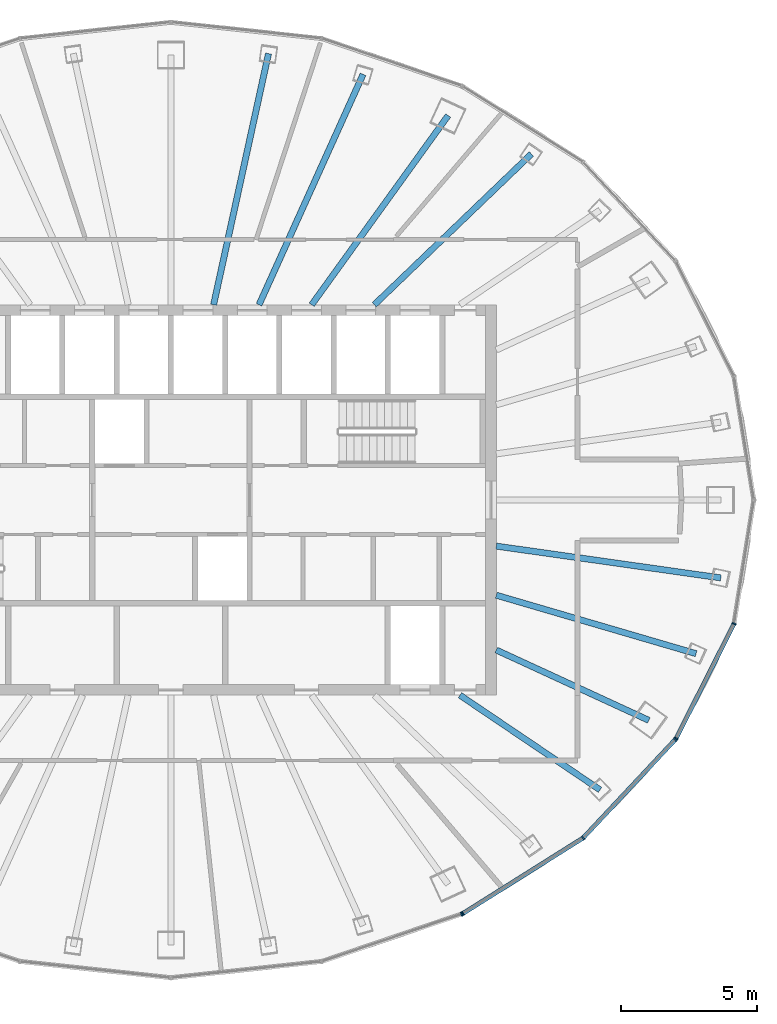
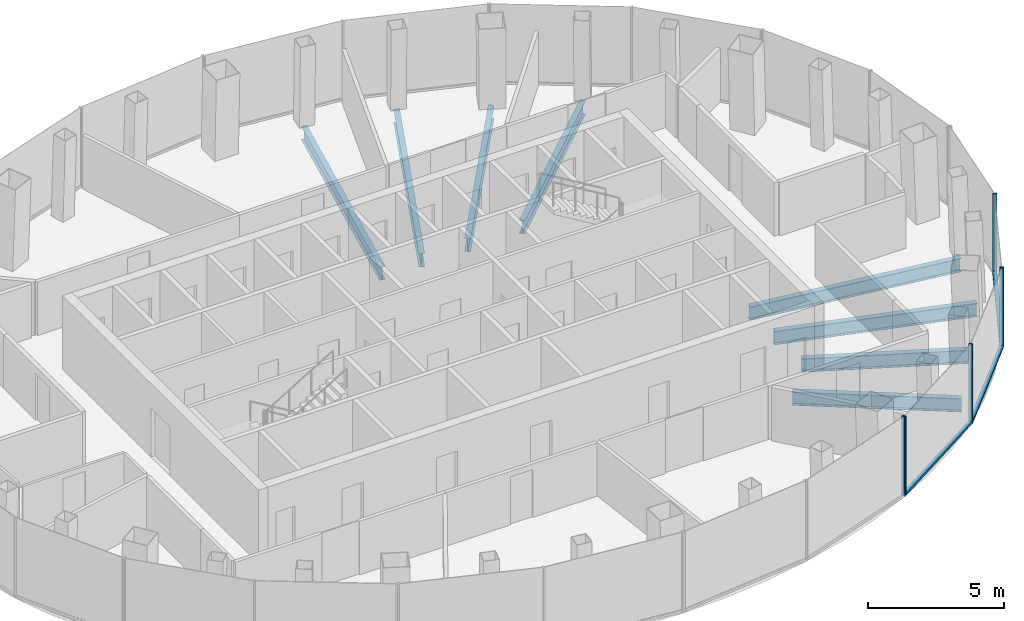
# One storey, part 5 of 12: 9 members, 8 beams, 3 elements without a shape of their own.
"""IFC4 building model written with IfcOpenShell, lengths in metres."""

from ifc_helpers import new_model, si_unit, direction, frame, origin, origin_2d, place, context, subcontext, project, spatial, rectangle, i_section, extrude, material, layer, layer_set, material_profile, profile_set, type_object, element, aggregate, save


model = new_model("IFC4")

# Units and contexts
model_context = context("Model", 3, precision=1e-05, world=origin(), true_north=direction((0.0, 1.0)))
body_context = subcontext(model_context, "Body", "Model", "MODEL_VIEW")
ifc_project = project(units=[si_unit("LENGTHUNIT", "METRE"), si_unit("AREAUNIT", "SQUARE_METRE"), si_unit("VOLUMEUNIT", "CUBIC_METRE"), si_unit("PLANEANGLEUNIT", "RADIAN"), si_unit("MASSUNIT", "GRAM", prefix="KILO")], contexts=[model_context])

# Site, building, storey
site_placement = place(None, origin())
site = spatial("IfcSite", under=ifc_project, at=site_placement, CompositionType="ELEMENT")
building_placement = place(site_placement, origin())
building = spatial("IfcBuilding", under=site, at=building_placement, Name="Siaravel Broadcast Tower", CompositionType="ELEMENT")
storey_placement = place(building_placement, frame((0.0, 0.0, 235.60009765625)))
storey = spatial("IfcBuildingStorey", under=building, at=storey_placement, Name="L57", CompositionType="ELEMENT", Elevation=235.60009765625)

# Beams
ifc_material_1 = material(Name="Steel S355", Category="steel")
ifc_material_profile_1 = material_profile(ifc_material_1, i_section(OverallWidth=0.2275390625, OverallDepth=0.6025390625, WebThickness=0.010498046875, FlangeThickness=0.014892578125, FilletRadius=0.0126953125, at=origin_2d()))
ifc_profile_set_1 = profile_set([ifc_material_profile_1], Name="Steel S355")
beam_type = type_object("IfcBeamType", Name="BM-UB 610x229x101", PredefinedType="BEAM", material=ifc_profile_set_1)
beam_1_placement = place(storey_placement, frame((13.294921875, 12.76123046875, -0.451416015625), z_axis=(-0.721429237, -0.692488163, 0.0), x_axis=(0.692488163, -0.721429237, 0.0)))
element("IfcBeam", 1, at=beam_1_placement, inside=storey, type_object=beam_type, Name="Radial beam RB06", PredefinedType="BEAM", context=body_context, shape_type="SweptSolid", body=[
    extrude(i_section(OverallWidth=0.2275390625, OverallDepth=0.6025390625, WebThickness=0.010498046875, FlangeThickness=0.014892578125, FilletRadius=0.0126953125, at=origin_2d()), origin(), (0.0, 0.0, 1.0), 8.03076171875),
])
beam_2_placement = place(storey_placement, frame((10.2236328125, 14.177490234375, -0.451416015625), z_axis=(-0.584910141, -0.811098099, 0.0), x_axis=(0.811098099, -0.584910141, 0.0)))
element("IfcBeam", 2, at=beam_2_placement, inside=storey, type_object=beam_type, Name="Radial beam RB07", PredefinedType="BEAM", context=body_context, shape_type="SweptSolid", body=[
    extrude(i_section(OverallWidth=0.2275390625, OverallDepth=0.6025390625, WebThickness=0.010498046875, FlangeThickness=0.014892578125, FilletRadius=0.0126953125, at=origin_2d()), origin(), (0.0, 0.0, 1.0), 8.6025390625),
])
beam_3_placement = place(storey_placement, frame((7.086669921875, 15.696044921875, -0.451416015625), z_axis=(-0.4114969, -0.911411159, 0.0), x_axis=(0.911411159, -0.4114969, 0.0)))
element("IfcBeam", 3, at=beam_3_placement, inside=storey, type_object=beam_type, Name="Radial beam RB08", PredefinedType="BEAM", context=body_context, shape_type="SweptSolid", body=[
    extrude(i_section(OverallWidth=0.2275390625, OverallDepth=0.6025390625, WebThickness=0.010498046875, FlangeThickness=0.014892578125, FilletRadius=0.0126953125, at=origin_2d()), origin(), (0.0, 0.0, 1.0), 9.322021484375),
])
beam_4_placement = place(storey_placement, frame((3.599609375, 16.461181640625, -0.451416015625), z_axis=(-0.213621611, -0.976916479, 0.0), x_axis=(0.976916479, -0.213621611, 0.0)))
element("IfcBeam", 4, at=beam_4_placement, inside=storey, type_object=beam_type, Name="Radial beam RB09", PredefinedType="BEAM", context=body_context, shape_type="SweptSolid", body=[
    extrude(i_section(OverallWidth=0.2275390625, OverallDepth=0.6025390625, WebThickness=0.010498046875, FlangeThickness=0.014892578125, FilletRadius=0.0126953125, at=origin_2d()), origin(), (0.0, 0.0, 1.0), 9.47998046875),
])
beam_5_placement = place(storey_placement, frame((15.8251953125, -10.688720703125, -0.451416015625), z_axis=(-0.828672445, 0.559733846, 0.0), x_axis=(-0.559733846, -0.828672445, 0.0)))
element("IfcBeam", 5, at=beam_5_placement, inside=storey, type_object=beam_type, Name="Radial beam RB33", PredefinedType="BEAM", context=body_context, shape_type="SweptSolid", body=[
    extrude(i_section(OverallWidth=0.2275390625, OverallDepth=0.6025390625, WebThickness=0.010498046875, FlangeThickness=0.014892578125, FilletRadius=0.0126953125, at=origin_2d()), origin(), (0.0, 0.0, 1.0), 6.23291015625),
])
beam_6_placement = place(storey_placement, frame((17.623291015625, -8.1259765625, -0.451416015625), z_axis=(-0.908103573, 0.418745628, 0.0), x_axis=(-0.418745628, -0.908103573, 0.0)))
element("IfcBeam", 6, at=beam_6_placement, inside=storey, type_object=beam_type, Name="Radial beam RB34", PredefinedType="BEAM", context=body_context, shape_type="SweptSolid", body=[
    extrude(i_section(OverallWidth=0.2275390625, OverallDepth=0.6025390625, WebThickness=0.010498046875, FlangeThickness=0.014892578125, FilletRadius=0.0126953125, at=origin_2d()), origin(), (0.0, 0.0, 1.0), 6.1923828125),
])
beam_7_placement = place(storey_placement, frame((19.3671875, -5.6669921875, -0.451416015625), z_axis=(-0.959763126, 0.280810864, 0.0), x_axis=(-0.280810864, -0.959763126, 0.0)))
element("IfcBeam", 7, at=beam_7_placement, inside=storey, type_object=beam_type, Name="Radial beam RB35", PredefinedType="BEAM", context=body_context, shape_type="SweptSolid", body=[
    extrude(i_section(OverallWidth=0.2275390625, OverallDepth=0.6025390625, WebThickness=0.010498046875, FlangeThickness=0.014892578125, FilletRadius=0.0126953125, at=origin_2d()), origin(), (0.0, 0.0, 1.0), 7.676025390625),
])
beam_8_placement = place(storey_placement, frame((20.281005859375, -2.873779296875, -0.451416015625), z_axis=(-0.990110561, 0.140289258, 0.0), x_axis=(-0.140289258, -0.990110561, 0.0)))
element("IfcBeam", 8, at=beam_8_placement, inside=storey, type_object=beam_type, Name="Radial beam RB36", PredefinedType="BEAM", context=body_context, shape_type="SweptSolid", body=[
    extrude(i_section(OverallWidth=0.2275390625, OverallDepth=0.6025390625, WebThickness=0.010498046875, FlangeThickness=0.014892578125, FilletRadius=0.0126953125, at=origin_2d()), origin(), (0.0, 0.0, 1.0), 8.36376953125),
])

# Curtain wall, member
ifc_material_2 = material(Name="Aluminium 6063-T6", Category="aluminium")
ifc_layer = layer(ifc_material_2, 0.159912109375)
ifc_layer_set = layer_set([ifc_layer], Name="Aluminium 6063-T6")
curtain_wall_type = type_object("IfcCurtainWallType", Name="Unitised curtain wall, zone 4", PredefinedType="NOTDEFINED", material=ifc_layer_set)
curtain_wall_1_placement = place(storey_placement, origin())
curtain_wall_1 = element("IfcCurtainWall", 9, at=curtain_wall_1_placement, inside=storey, type_object=curtain_wall_type, Name="L57 Unitised curtain wall, zone 4 10", PredefinedType="NOTDEFINED")
ifc_material_profile_2 = material_profile(ifc_material_2, rectangle(XDim=0.159912109375, YDim=0.054931640625, at=origin_2d()))
ifc_profile_set_2 = profile_set([ifc_material_profile_2], Name="Aluminium 6063-T6")
member_type_1 = type_object("IfcMemberType", Name="CW-Z4 mullion", PredefinedType="MULLION", material=ifc_profile_set_2)
member_1_placement = place(storey_placement, frame((10.72119140625, -15.271484375, 0.0), z_axis=(0.0, 0.0, 1.0), x_axis=(-0.321301352, 0.946977002, 0.0)))
member_1 = element("IfcMember", 10, at=member_1_placement, type_object=member_type_1, Name="CW-Z4 mullion 3", PredefinedType="MULLION", context=body_context, shape_type="SweptSolid", body=[
    extrude(rectangle(XDim=0.159912109375, YDim=0.054931640625, at=origin_2d()), origin(), (0.0, 0.0, 1.0), 3.5498046875),
])
aggregate(curtain_wall_1, [member_1])

# Curtain wall, members
curtain_wall_2_placement = place(storey_placement, origin())
curtain_wall_2 = element("IfcCurtainWall", 11, at=curtain_wall_2_placement, inside=storey, type_object=curtain_wall_type, Name="L57 Unitised curtain wall, zone 4 11", PredefinedType="NOTDEFINED")
member_2_placement = place(storey_placement, frame((10.770751953125, -15.248046875, 0.0), z_axis=(0.0, 0.0, 1.0), x_axis=(-0.532150293, 0.846649907, 0.0)))
member_2 = element("IfcMember", 12, at=member_2_placement, type_object=member_type_1, Name="CW-Z4 mullion 1", PredefinedType="MULLION", context=body_context, shape_type="SweptSolid", body=[
    extrude(rectangle(XDim=0.159912109375, YDim=0.054931640625, at=origin_2d()), origin(), (0.0, 0.0, 1.0), 3.5498046875),
])
member_3_placement = place(storey_placement, frame((15.200439453125, -12.463623046875, 0.0), z_axis=(0.0, 0.0, 1.0), x_axis=(-0.636219746, 0.771507897, 0.0)))
member_3 = element("IfcMember", 13, at=member_3_placement, type_object=member_type_1, Name="CW-Z4 mullion 2", PredefinedType="MULLION", context=body_context, shape_type="SweptSolid", body=[
    extrude(rectangle(XDim=0.159912109375, YDim=0.054931640625, at=origin_2d()), origin(), (0.0, 0.0, 1.0), 3.5498046875),
])
member_4_placement = place(storey_placement, frame((18.60009765625, -8.834716796875, 0.0), z_axis=(0.0, 0.0, 1.0), x_axis=(-0.72980635, 0.683653927, 0.0)))
member_4 = element("IfcMember", 14, at=member_4_placement, type_object=member_type_1, Name="CW-Z4 mullion 3", PredefinedType="MULLION", context=body_context, shape_type="SweptSolid", body=[
    extrude(rectangle(XDim=0.159912109375, YDim=0.054931640625, at=origin_2d()), origin(), (0.0, 0.0, 1.0), 3.5498046875),
])

curtain_wall_3_placement = place(storey_placement, origin())
curtain_wall_3 = element("IfcCurtainWall", 15, at=curtain_wall_3_placement, inside=storey, type_object=curtain_wall_type, Name="L57 Unitised curtain wall, zone 4 12", PredefinedType="NOTDEFINED")
member_5_placement = place(storey_placement, frame((18.63134765625, -8.7900390625, 0.0), z_axis=(0.0, 0.0, 1.0), x_axis=(-0.89239278, 0.451259489, 0.0)))
member_5 = element("IfcMember", 16, at=member_5_placement, type_object=member_type_1, Name="CW-Z4 mullion 1", PredefinedType="MULLION", context=body_context, shape_type="SweptSolid", body=[
    extrude(rectangle(XDim=0.159912109375, YDim=0.054931640625, at=origin_2d()), origin(), (0.0, 0.0, 1.0), 3.5498046875),
])
member_6_placement = place(storey_placement, frame((20.7685546875, -4.5634765625, 0.0), z_axis=(0.0, 0.0, 1.0), x_axis=(-0.951177556, 0.308644223, 0.0)))
member_6 = element("IfcMember", 17, at=member_6_placement, type_object=member_type_1, Name="CW-Z4 mullion 2", PredefinedType="MULLION", context=body_context, shape_type="SweptSolid", body=[
    extrude(rectangle(XDim=0.159912109375, YDim=0.054931640625, at=origin_2d()), origin(), (0.0, 0.0, 1.0), 3.5498046875),
])

# Member
ifc_material_profile_3 = material_profile(ifc_material_2, rectangle(XDim=0.159912109375, YDim=0.090087890625, at=origin_2d()))
ifc_profile_set_3 = profile_set([ifc_material_profile_3], Name="Aluminium 6063-T6")
member_type_2 = type_object("IfcMemberType", Name="CW-Z4 transom", PredefinedType="USERDEFINED", material=ifc_profile_set_3)
member_7_placement = place(storey_placement, frame((10.7939453125, -15.2333984375, 0.044921875), z_axis=(0.846644441, 0.53215899, 0.0), x_axis=(-0.53215899, 0.846644441, 0.0)))
member_7 = element("IfcMember", 18, at=member_7_placement, type_object=member_type_2, Name="CW-Z4 transom 1", ObjectType="TRANSOM", PredefinedType="USERDEFINED", context=body_context, shape_type="SweptSolid", body=[
    extrude(rectangle(XDim=0.159912109375, YDim=0.090087890625, at=origin_2d()), origin(), (0.0, 0.0, 1.0), 5.17724609375),
])

member_8_placement = place(storey_placement, frame((15.21923828125, -12.443603515625, 0.044921875), z_axis=(0.68367025, 0.729791059, 0.0), x_axis=(-0.729791059, 0.68367025, 0.0)))
member_8 = element("IfcMember", 19, at=member_8_placement, type_object=member_type_2, Name="CW-Z4 transom 2", ObjectType="TRANSOM", PredefinedType="USERDEFINED", context=body_context, shape_type="SweptSolid", body=[
    extrude(rectangle(XDim=0.159912109375, YDim=0.090087890625, at=origin_2d()), origin(), (0.0, 0.0, 1.0), 4.917724609375),
])

aggregate(curtain_wall_2, [member_2, member_3, member_4, member_7, member_8])

member_9_placement = place(storey_placement, frame((18.643798828125, -8.765380859375, 0.044921875), z_axis=(0.451235344, 0.892404989, 0.0), x_axis=(-0.892404989, 0.451235344, 0.0)))
member_9 = element("IfcMember", 20, at=member_9_placement, type_object=member_type_2, Name="CW-Z4 transom 1", ObjectType="TRANSOM", PredefinedType="USERDEFINED", context=body_context, shape_type="SweptSolid", body=[
    extrude(rectangle(XDim=0.159912109375, YDim=0.090087890625, at=origin_2d()), origin(), (0.0, 0.0, 1.0), 4.68115234375),
])

aggregate(curtain_wall_3, [member_5, member_6, member_9])

save(model, "model.ifc")
